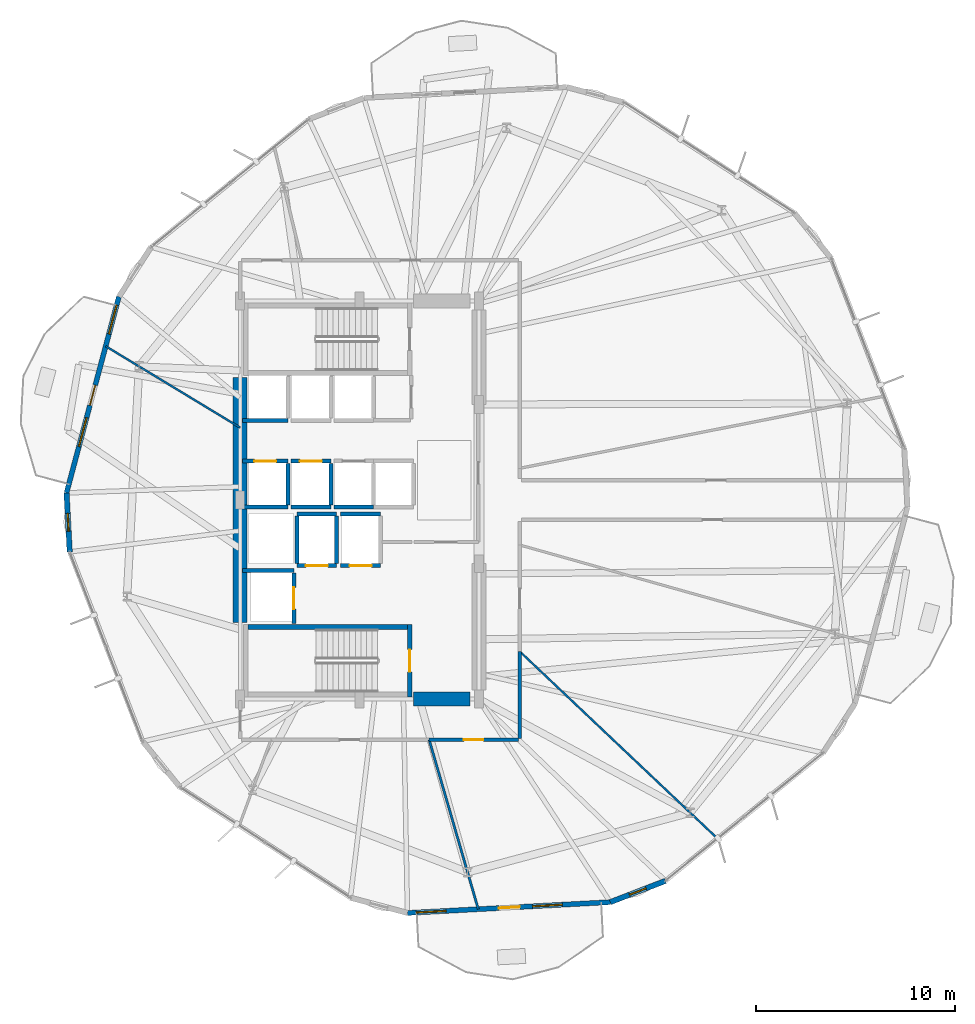
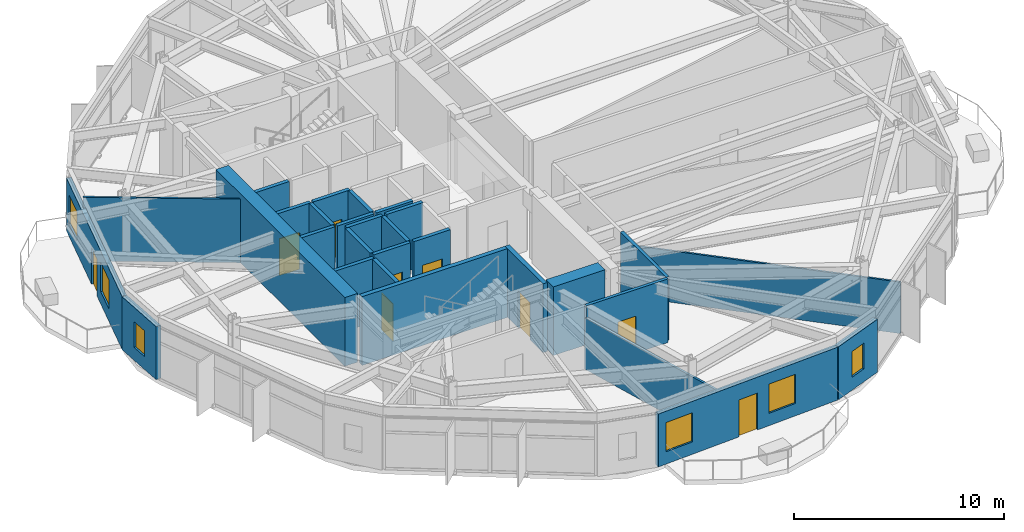
# One storey, part 18 of 23: 29 walls, 9 doors, 6 windows, 15 openings.
"""IFC4 building model written with IfcOpenShell, lengths in metres."""

from ifc_helpers import new_model, si_unit, direction, frame, frame_2d, origin, place, context, subcontext, project, spatial, rectangle, extrude, material, layer, layer_set, type_object, element, fill, save


model = new_model("IFC4")

# Units and contexts
model_context = context("Model", 3, precision=1e-05, world=origin(), true_north=direction((0.0, 1.0)))
body_context = subcontext(model_context, "Body", "Model", "MODEL_VIEW")
ifc_project = project(units=[si_unit("LENGTHUNIT", "METRE"), si_unit("AREAUNIT", "SQUARE_METRE"), si_unit("VOLUMEUNIT", "CUBIC_METRE"), si_unit("PLANEANGLEUNIT", "RADIAN"), si_unit("MASSUNIT", "GRAM", prefix="KILO")], contexts=[model_context])

# Site, building, storey
site_placement = place(None, origin())
site = spatial("IfcSite", under=ifc_project, at=site_placement, CompositionType="ELEMENT")
building_placement = place(site_placement, origin())
building = spatial("IfcBuilding", under=site, at=building_placement, Name="Soratama Intermodal Tower", CompositionType="ELEMENT")
storey_placement = place(building_placement, frame((0.0, 0.0, 38.60009765625)))
storey = spatial("IfcBuildingStorey", under=building, at=storey_placement, Name="L08", CompositionType="ELEMENT", Elevation=38.60009765625)

# Wall, openings, door, windows
ifc_material_1 = material(Name="Concrete f'c 42 MPa", Category="concrete")
ifc_layer_1 = layer(ifc_material_1, 0.25)
ifc_layer_set_1 = layer_set([ifc_layer_1], Name="Concrete f'c 42 MPa")
wall_type_1 = type_object("IfcWallType", Name="EW-BAL-250", PredefinedType="SOLIDWALL", material=ifc_layer_set_1)
wall_1_placement = place(storey_placement, frame((26.510009765625, 35.212646484375, 0.0), z_axis=(0.0, 0.0, 1.0), x_axis=(-0.257827991611, -0.966190833501, 0.0)))
wall_1 = element("IfcWall", 1, at=wall_1_placement, inside=storey, type_object=wall_type_1, Name="L08 Terrace Wall F05", PredefinedType="SOLIDWALL", context=body_context, shape_type="SweptSolid", body=[
    extrude(rectangle(XDim=10.201171875, YDim=0.25, at=frame_2d((5.1005859375, 0.0))), origin(), (0.0, 0.0, 1.0), 3.078857421875),
])
opening_1_placement = place(wall_1_placement, frame((4.6005859375, 0.0, 0.0)))
opening_1 = element("IfcOpeningElement", 2, at=opening_1_placement, cuts=wall_1, Name="Opening ED-5", PredefinedType="OPENING", context=body_context, shape_type="SweptSolid", body=[
    extrude(rectangle(XDim=1.050048828125, YDim=2.14990234375, at=frame_2d((0.52490234375, 1.074951171875))), frame((0.0, 0.135009765625, 0.0), z_axis=(0.0, -1.0, 0.0), x_axis=(1.0, 0.0, 0.0)), (0.0, 0.0, 1.0), 0.27001953125),
])
opening_2_placement = place(wall_1_placement, frame((0.43994140625, 0.0, 0.719970703125)))
opening_2 = element("IfcOpeningElement", 3, at=opening_2_placement, cuts=wall_1, Name="Opening WN-1", PredefinedType="OPENING", context=body_context, shape_type="SweptSolid", body=[
    extrude(rectangle(XDim=1.5, YDim=1.699951171875, at=frame_2d((0.75, 0.85009765625))), frame((0.0, 0.135009765625, 0.0), z_axis=(0.0, -1.0, 0.0), x_axis=(1.0, 0.0, 0.0)), (0.0, 0.0, 1.0), 0.27001953125),
])
opening_3_placement = place(wall_1_placement, frame((6.29052734375, 0.0, 0.719970703125)))
opening_3 = element("IfcOpeningElement", 4, at=opening_3_placement, cuts=wall_1, Name="Opening WN-1", PredefinedType="OPENING", context=body_context, shape_type="SweptSolid", body=[
    extrude(rectangle(XDim=1.5, YDim=1.699951171875, at=frame_2d((0.75, 0.85009765625))), frame((0.0, 0.135009765625, 0.0), z_axis=(0.0, -1.0, 0.0), x_axis=(1.0, 0.0, 0.0)), (0.0, 0.0, 1.0), 0.27001953125),
])
ifc_material_2 = material(Name="Double-glazed aluminium door", Category="aluminium")
door_type_1 = type_object("IfcDoorType", Name="DR-BAL-1050", OperationType="NOTDEFINED", PredefinedType="DOOR", material=ifc_material_2)
door_1_placement = place(opening_1_placement, origin())
door_1 = element("IfcDoor", 5, at=door_1_placement, inside=storey, type_object=door_type_1, Name="L08 Balcony Door F05", OperationType="SINGLE_SWING_LEFT", OverallHeight=2.14990234375, OverallWidth=1.050048828125, PredefinedType="DOOR", context=body_context, shape_type="SweptSolid", body=[
    extrude(rectangle(XDim=1.050048828125, YDim=2.14990234375, at=frame_2d((0.52490234375, 1.074951171875))), frame((0.0, 0.02490234375, 0.0), z_axis=(0.0, -1.0, 0.0), x_axis=(1.0, 0.0, 0.0)), (0.0, 0.0, 1.0), 0.050048828125),
])
fill(opening_1, door_1)
ifc_material_3 = material(Name="Double-glazed aluminium window", Category="aluminium")
window_type_1 = type_object("IfcWindowType", Name="WN-FAC-1500", PartitioningType="SINGLE_PANEL", PredefinedType="WINDOW", material=ifc_material_3)
window_1_placement = place(opening_2_placement, origin())
window_1 = element("IfcWindow", 6, at=window_1_placement, inside=storey, type_object=window_type_1, Name="L08 Window A F05", OverallHeight=1.699951171875, OverallWidth=1.5, PartitioningType="SINGLE_PANEL", PredefinedType="WINDOW", context=body_context, shape_type="SweptSolid", body=[
    extrude(rectangle(XDim=1.5, YDim=1.699951171875, at=frame_2d((0.75, 0.85009765625))), frame((0.0, 0.030029296875, 0.0), z_axis=(0.0, -1.0, 0.0), x_axis=(1.0, 0.0, 0.0)), (0.0, 0.0, 1.0), 0.06005859375),
])
fill(opening_2, window_1)
window_2_placement = place(opening_3_placement, origin())
window_2 = element("IfcWindow", 7, at=window_2_placement, inside=storey, type_object=window_type_1, Name="L08 Window B F05", OverallHeight=1.699951171875, OverallWidth=1.5, PartitioningType="SINGLE_PANEL", PredefinedType="WINDOW", context=body_context, shape_type="SweptSolid", body=[
    extrude(rectangle(XDim=1.5, YDim=1.699951171875, at=frame_2d((0.75, 0.85009765625))), frame((0.0, 0.030029296875, 0.0), z_axis=(0.0, -1.0, 0.0), x_axis=(1.0, 0.0, 0.0)), (0.0, 0.0, 1.0), 0.06005859375),
])
fill(opening_3, window_2)

wall_2_placement = place(storey_placement, frame((41.0009765625, 4.2587890625, 0.0), z_axis=(0.0, 0.0, 1.0), x_axis=(0.998573514947, 0.053394149934, 0.0)))
wall_2 = element("IfcWall", 8, at=wall_2_placement, inside=storey, type_object=wall_type_1, Name="L08 Terrace Wall F08", PredefinedType="SOLIDWALL", context=body_context, shape_type="SweptSolid", body=[
    extrude(rectangle(XDim=10.201171875, YDim=0.25, at=frame_2d((5.1005859375, 0.0))), origin(), (0.0, 0.0, 1.0), 3.078857421875),
])
opening_4_placement = place(wall_2_placement, frame((4.6005859375, 0.0, 0.0)))
opening_4 = element("IfcOpeningElement", 9, at=opening_4_placement, cuts=wall_2, Name="Opening ED-5", PredefinedType="OPENING", context=body_context, shape_type="SweptSolid", body=[
    extrude(rectangle(XDim=1.050048828125, YDim=2.14990234375, at=frame_2d((0.52490234375, 1.074951171875))), frame((0.0, 0.135009765625, 0.0), z_axis=(0.0, -1.0, 0.0), x_axis=(1.0, 0.0, 0.0)), (0.0, 0.0, 1.0), 0.27001953125),
])
opening_5_placement = place(wall_2_placement, frame((0.43994140625, 0.0, 0.719970703125)))
opening_5 = element("IfcOpeningElement", 10, at=opening_5_placement, cuts=wall_2, Name="Opening WN-1", PredefinedType="OPENING", context=body_context, shape_type="SweptSolid", body=[
    extrude(rectangle(XDim=1.5, YDim=1.699951171875, at=frame_2d((0.75, 0.85009765625))), frame((0.0, 0.135009765625, 0.0), z_axis=(0.0, -1.0, 0.0), x_axis=(1.0, 0.0, 0.0)), (0.0, 0.0, 1.0), 0.27001953125),
])
opening_6_placement = place(wall_2_placement, frame((6.29052734375, 0.0, 0.719970703125)))
opening_6 = element("IfcOpeningElement", 11, at=opening_6_placement, cuts=wall_2, Name="Opening WN-1", PredefinedType="OPENING", context=body_context, shape_type="SweptSolid", body=[
    extrude(rectangle(XDim=1.5, YDim=1.699951171875, at=frame_2d((0.75, 0.85009765625))), frame((0.0, 0.135009765625, 0.0), z_axis=(0.0, -1.0, 0.0), x_axis=(1.0, 0.0, 0.0)), (0.0, 0.0, 1.0), 0.27001953125),
])
door_2_placement = place(opening_4_placement, origin())
door_2 = element("IfcDoor", 12, at=door_2_placement, inside=storey, type_object=door_type_1, Name="L08 Balcony Door F08", OperationType="SINGLE_SWING_RIGHT", OverallHeight=2.14990234375, OverallWidth=1.050048828125, PredefinedType="DOOR", context=body_context, shape_type="SweptSolid", body=[
    extrude(rectangle(XDim=1.050048828125, YDim=2.14990234375, at=frame_2d((0.52490234375, 1.074951171875))), frame((0.0, 0.02490234375, 0.0), z_axis=(0.0, -1.0, 0.0), x_axis=(1.0, 0.0, 0.0)), (0.0, 0.0, 1.0), 0.050048828125),
])
fill(opening_4, door_2)
window_3_placement = place(opening_5_placement, origin())
window_3 = element("IfcWindow", 13, at=window_3_placement, inside=storey, type_object=window_type_1, Name="L08 Window A F08", OverallHeight=1.699951171875, OverallWidth=1.5, PartitioningType="SINGLE_PANEL", PredefinedType="WINDOW", context=body_context, shape_type="SweptSolid", body=[
    extrude(rectangle(XDim=1.5, YDim=1.699951171875, at=frame_2d((0.75, 0.85009765625))), frame((0.0, 0.030029296875, 0.0), z_axis=(0.0, -1.0, 0.0), x_axis=(1.0, 0.0, 0.0)), (0.0, 0.0, 1.0), 0.06005859375),
])
fill(opening_5, window_3)
window_4_placement = place(opening_6_placement, origin())
window_4 = element("IfcWindow", 14, at=window_4_placement, inside=storey, type_object=window_type_1, Name="L08 Window B F08", OverallHeight=1.699951171875, OverallWidth=1.5, PartitioningType="SINGLE_PANEL", PredefinedType="WINDOW", context=body_context, shape_type="SweptSolid", body=[
    extrude(rectangle(XDim=1.5, YDim=1.699951171875, at=frame_2d((0.75, 0.85009765625))), frame((0.0, 0.030029296875, 0.0), z_axis=(0.0, -1.0, 0.0), x_axis=(1.0, 0.0, 0.0)), (0.0, 0.0, 1.0), 0.06005859375),
])
fill(opening_6, window_4)

# Wall, opening, window
ifc_material_4 = material(Name="Concrete f'c 42 MPa", Category="concrete")
ifc_layer_2 = layer(ifc_material_4, 0.27001953125)
ifc_layer_set_2 = layer_set([ifc_layer_2], Name="Concrete f'c 42 MPa")
wall_type_2 = type_object("IfcWallType", Name="EW-CRN-270", PredefinedType="SOLIDWALL", material=ifc_layer_set_2)
wall_3_placement = place(storey_placement, frame((23.8798828125, 25.3564453125, 0.0), z_axis=(0.0, 0.0, 1.0), x_axis=(0.053409730545, -0.998572681723, 0.0)))
wall_3 = element("IfcWall", 15, at=wall_3_placement, inside=storey, type_object=wall_type_2, Name="L08 Corner Closure Wall 05", PredefinedType="SOLIDWALL", context=body_context, shape_type="SweptSolid", body=[
    extrude(rectangle(XDim=2.966552734375, YDim=0.27001953125, at=frame_2d((1.4833984375, 0.0))), origin(), (0.0, 0.0, 1.0), 3.078857421875),
])
opening_7_placement = place(wall_3_placement, frame((1.033203125, 0.0, 0.75)))
opening_7 = element("IfcOpeningElement", 16, at=opening_7_placement, cuts=wall_3, Name="Opening WN-6", PredefinedType="OPENING", context=body_context, shape_type="SweptSolid", body=[
    extrude(rectangle(XDim=0.89990234375, YDim=1.5, at=frame_2d((0.449951171875, 0.75))), frame((0.0, 0.14501953125, 0.0), z_axis=(0.0, -1.0, 0.0), x_axis=(1.0, 0.0, 0.0)), (0.0, 0.0, 1.0), 0.2900390625),
])
ifc_material_5 = material(Name="Double-glazed aluminium window", Category="aluminium")
window_type_2 = type_object("IfcWindowType", Name="WN-FAC-900", PartitioningType="SINGLE_PANEL", PredefinedType="WINDOW", material=ifc_material_5)
window_5_placement = place(opening_7_placement, origin())
window_5 = element("IfcWindow", 17, at=window_5_placement, inside=storey, type_object=window_type_2, Name="L08 Corner Window 05", OverallHeight=1.5, OverallWidth=0.89990234375, PartitioningType="SINGLE_PANEL", PredefinedType="WINDOW", context=body_context, shape_type="SweptSolid", body=[
    extrude(rectangle(XDim=0.89990234375, YDim=1.5, at=frame_2d((0.449951171875, 0.75))), frame((0.0, 0.030029296875, 0.0), z_axis=(0.0, -1.0, 0.0), x_axis=(1.0, 0.0, 0.0)), (0.0, 0.0, 1.0), 0.06005859375),
])
fill(opening_7, window_5)

wall_4_placement = place(storey_placement, frame((51.1875, 4.803466796875, 0.0), z_axis=(0.0, 0.0, 1.0), x_axis=(0.933222533465, 0.35929890486, 0.0)))
wall_4 = element("IfcWall", 18, at=wall_4_placement, inside=storey, type_object=wall_type_2, Name="L08 Corner Closure Wall 08", PredefinedType="SOLIDWALL", context=body_context, shape_type="SweptSolid", body=[
    extrude(rectangle(XDim=2.966552734375, YDim=0.27001953125, at=frame_2d((1.4833984375, 0.0))), origin(), (0.0, 0.0, 1.0), 3.078857421875),
])
opening_8_placement = place(wall_4_placement, frame((1.033203125, 0.0, 0.75)))
opening_8 = element("IfcOpeningElement", 19, at=opening_8_placement, cuts=wall_4, Name="Opening WN-6", PredefinedType="OPENING", context=body_context, shape_type="SweptSolid", body=[
    extrude(rectangle(XDim=0.89990234375, YDim=1.5, at=frame_2d((0.449951171875, 0.75))), frame((0.0, 0.14501953125, 0.0), z_axis=(0.0, -1.0, 0.0), x_axis=(1.0, 0.0, 0.0)), (0.0, 0.0, 1.0), 0.2900390625),
])
window_6_placement = place(opening_8_placement, origin())
window_6 = element("IfcWindow", 20, at=window_6_placement, inside=storey, type_object=window_type_2, Name="L08 Corner Window 08", OverallHeight=1.5, OverallWidth=0.89990234375, PartitioningType="SINGLE_PANEL", PredefinedType="WINDOW", context=body_context, shape_type="SweptSolid", body=[
    extrude(rectangle(XDim=0.89990234375, YDim=1.5, at=frame_2d((0.449951171875, 0.75))), frame((0.0, 0.030029296875, 0.0), z_axis=(0.0, -1.0, 0.0), x_axis=(1.0, 0.0, 0.0)), (0.0, 0.0, 1.0), 0.06005859375),
])
fill(opening_8, window_6)

# Wall, opening, door
ifc_material_6 = material(Name="Fire-rated gypsum stud partition", Category="concrete")
ifc_layer_3 = layer(ifc_material_6, 0.169921875)
ifc_layer_set_3 = layer_set([ifc_layer_3], Name="Fire-rated gypsum stud partition")
wall_type_3 = type_object("IfcWallType", Name="IW-PART-R170", PredefinedType="PARTITIONING", material=ifc_layer_set_3)
wall_5_placement = place(storey_placement, frame((46.580078125, 12.949951171875, 0.0), z_axis=(0.0, 0.0, 1.0), x_axis=(-1.0, 0.0, 0.0)))
wall_5 = element("IfcWall", 21, at=wall_5_placement, inside=storey, type_object=wall_type_3, Name="L08 Partition W-L08-TP015", PredefinedType="PARTITIONING", context=body_context, shape_type="SweptSolid", body=[
    extrude(rectangle(XDim=4.486083984375, YDim=0.169921875, at=frame_2d((2.2431640625, 0.0))), origin(), (0.0, 0.0, 1.0), 3.699951171875),
])
opening_9_placement = place(wall_5_placement, frame((1.76806640625, 0.0, 0.0)))
opening_9 = element("IfcOpeningElement", 22, at=opening_9_placement, cuts=wall_5, Name="Opening ID-5", PredefinedType="OPENING", context=body_context, shape_type="SweptSolid", body=[
    extrude(rectangle(XDim=0.97998046875, YDim=2.14990234375, at=frame_2d((0.489990234375, 1.074951171875))), frame((0.0, 0.094970703125, 0.0), z_axis=(0.0, -1.0, 0.0), x_axis=(1.0, 0.0, 0.0)), (0.0, 0.0, 1.0), 0.18994140625),
])
ifc_material_7 = material(Name="Solid hardwood acoustic door", Category="wood")
door_type_2 = type_object("IfcDoorType", Name="DR-OFF-980", OperationType="NOTDEFINED", PredefinedType="DOOR", material=ifc_material_7)
door_3_placement = place(opening_9_placement, origin())
door_3 = element("IfcDoor", 23, at=door_3_placement, inside=storey, type_object=door_type_2, Name="L08 Door D-L08-TP007", OperationType="SINGLE_SWING_RIGHT", OverallHeight=2.14990234375, OverallWidth=0.97998046875, PredefinedType="DOOR", context=body_context, shape_type="SweptSolid", body=[
    extrude(rectangle(XDim=0.97998046875, YDim=2.14990234375, at=frame_2d((0.489990234375, 1.074951171875))), frame((0.0, 0.02490234375, 0.0), z_axis=(0.0, -1.0, 0.0), x_axis=(1.0, 0.0, 0.0)), (0.0, 0.0, 1.0), 0.050048828125),
])
fill(opening_9, door_3)

# Walls
wall_6_placement = place(storey_placement, frame((46.64990234375, 17.385009765625, 0.0), z_axis=(0.0, 0.0, 1.0), x_axis=(0.0, -1.0, 0.0)))
element("IfcWall", 24, at=wall_6_placement, inside=storey, type_object=wall_type_3, Name="L08 Partition W-L08-TP016", PredefinedType="PARTITIONING", context=body_context, shape_type="SweptSolid", body=[
    extrude(rectangle(XDim=4.364990234375, YDim=0.169921875, at=frame_2d((2.1826171875, 0.0))), origin(), (0.0, 0.0, 1.0), 3.699951171875),
])
ifc_material_8 = material(Name="Fire-rated gypsum stud partition", Category="concrete")
ifc_layer_4 = layer(ifc_material_8, 0.10009765625)
ifc_layer_set_4 = layer_set([ifc_layer_4], Name="Fire-rated gypsum stud partition")
wall_type_4 = type_object("IfcWallType", Name="IW-PART-S100", PredefinedType="PARTITIONING", material=ifc_layer_set_4)
wall_7_placement = place(storey_placement, frame((46.64990234375, 17.385009765625, 0.0), z_axis=(0.0, 0.0, 1.0), x_axis=(0.726419713392, -0.687251336845, 0.0)))
element("IfcWall", 25, at=wall_7_placement, inside=storey, type_object=wall_type_4, Name="L08 Partition W-L08-TP005", PredefinedType="PARTITIONING", context=body_context, shape_type="SweptSolid", body=[
    extrude(rectangle(XDim=13.6630859375, YDim=0.10009765625, at=frame_2d((6.83154296875, 0.0))), origin(), (0.0, 0.0, 1.0), 2.994873046875),
])
wall_8_placement = place(storey_placement, frame((32.60009765625, 28.634033203125, 0.0), z_axis=(0.0, 0.0, 1.0), x_axis=(-0.855385077894, 0.517992633651, 0.0)))
element("IfcWall", 26, at=wall_8_placement, inside=storey, type_object=wall_type_4, Name="L08 Partition W-L08-TP010", PredefinedType="PARTITIONING", context=body_context, shape_type="SweptSolid", body=[
    extrude(rectangle(XDim=7.89599609375, YDim=0.10009765625, at=frame_2d((3.947998046875, 0.0))), origin(), (0.0, 0.0, 1.0), 3.699951171875),
])
ifc_material_9 = material(Name="Fire-rated gypsum stud partition", Category="concrete")
ifc_layer_5 = layer(ifc_material_9, 0.1201171875)
ifc_layer_set_5 = layer_set([ifc_layer_5], Name="Fire-rated gypsum stud partition")
wall_type_5 = type_object("IfcWallType", Name="IW-PART-S120", PredefinedType="PARTITIONING", material=ifc_layer_set_5)
wall_9_placement = place(storey_placement, frame((42.093994140625, 12.949951171875, 0.0), z_axis=(0.0, 0.0, 1.0), x_axis=(0.27850409571, -0.96043504136, 0.0)))
element("IfcWall", 27, at=wall_9_placement, inside=storey, type_object=wall_type_5, Name="L08 Partition W-L08-TP008", PredefinedType="PARTITIONING", context=body_context, shape_type="SweptSolid", body=[
    extrude(rectangle(XDim=8.85107421875, YDim=0.1201171875, at=frame_2d((4.425537109375, 0.0))), origin(), (0.0, 0.0, 1.0), 2.994873046875),
])

# Wall, opening, door
ifc_material_10 = material(Name="Concrete f'c 42 MPa", Category="concrete")
ifc_layer_6 = layer(ifc_material_10, 0.199951171875)
ifc_layer_set_6 = layer_set([ifc_layer_6], Name="Concrete f'c 42 MPa")
wall_type_6 = type_object("IfcWallType", Name="IW-SHAFT-200", PredefinedType="SOLIDWALL", material=ifc_layer_set_6)
wall_10_placement = place(storey_placement, frame((35.449951171875, 21.699951171875, 0.0), z_axis=(0.0, 0.0, 1.0), x_axis=(1.0, 0.0, 0.0)))
wall_10 = element("IfcWall", 28, at=wall_10_placement, inside=storey, type_object=wall_type_6, Name="L08 FFL-1 Hoistway Wall S", PredefinedType="SOLIDWALL", context=body_context, shape_type="SweptSolid", body=[
    extrude(rectangle(XDim=2.0, YDim=0.199951171875, at=frame_2d((1.0, 0.0))), origin(), (0.0, 0.0, 1.0), 3.699951171875),
])
opening_10_placement = place(wall_10_placement, frame((0.449951171875, 0.0, 0.0)))
opening_10 = element("IfcOpeningElement", 29, at=opening_10_placement, cuts=wall_10, Name="Opening LD-1", PredefinedType="OPENING", context=body_context, shape_type="SweptSolid", body=[
    extrude(rectangle(XDim=1.10009765625, YDim=2.14990234375, at=frame_2d((0.550048828125, 1.074951171875))), frame((0.0, 0.10986328125, 0.0), z_axis=(0.0, -1.0, 0.0), x_axis=(1.0, 0.0, 0.0)), (0.0, 0.0, 1.0), 0.219970703125),
])
ifc_material_11 = material(Name="Steel fire door", Category="steel")
door_type_3 = type_object("IfcDoorType", Name="DR-LIFT-SLIDE", OperationType="NOTDEFINED", PredefinedType="DOOR", material=ifc_material_11)
door_4_placement = place(opening_10_placement, origin())
door_4 = element("IfcDoor", 30, at=door_4_placement, inside=storey, type_object=door_type_3, Name="L08 FFL-1 Sliding Landing Door", OperationType="SLIDING_TO_LEFT", OverallHeight=2.14990234375, OverallWidth=1.10009765625, PredefinedType="DOOR", context=body_context, shape_type="SweptSolid", body=[
    extrude(rectangle(XDim=1.10009765625, YDim=2.14990234375, at=frame_2d((0.550048828125, 1.074951171875))), frame((0.0, 0.02490234375, 0.0), z_axis=(0.0, -1.0, 0.0), x_axis=(1.0, 0.0, 0.0)), (0.0, 0.0, 1.0), 0.050048828125),
])
fill(opening_10, door_4)

# Walls
wall_11_placement = place(storey_placement, frame((35.449951171875, 24.300048828125, 0.0), z_axis=(0.0, 0.0, 1.0), x_axis=(1.0, 0.0, 0.0)))
element("IfcWall", 31, at=wall_11_placement, inside=storey, type_object=wall_type_6, Name="L08 FFL-1 Hoistway Wall N", PredefinedType="SOLIDWALL", context=body_context, shape_type="SweptSolid", body=[
    extrude(rectangle(XDim=2.0, YDim=0.199951171875, at=frame_2d((1.0, 0.0))), origin(), (0.0, 0.0, 1.0), 3.699951171875),
])
for number, where, z_axis, x_axis, name in (
    (32, (35.449951171875, 21.81005859375, 0.0), (0.0, 0.0, 1.0), (0.0, 1.0, 0.0), "L08 FFL-1 Hoistway Wall W"),
    (33, (37.449951171875, 21.81005859375, 0.0), (0.0, 0.0, 1.0), (0.0, 1.0, 0.0), "L08 FFL-1 Hoistway Wall E"),
):
    element("IfcWall", number, at=place(storey_placement, frame(where, z_axis=z_axis, x_axis=x_axis)), inside=storey, type_object=wall_type_6, Name=name, PredefinedType="SOLIDWALL", context=body_context, shape_type="SweptSolid", body=[
        extrude(rectangle(XDim=2.3798828125, YDim=0.199951171875, at=frame_2d((1.18994140625, 0.0))), origin(), (0.0, 0.0, 1.0), 3.699951171875),
    ])

# Wall, opening, door
wall_12_placement = place(storey_placement, frame((37.64990234375, 21.699951171875, 0.0), z_axis=(0.0, 0.0, 1.0), x_axis=(1.0, 0.0, 0.0)))
wall_12 = element("IfcWall", 34, at=wall_12_placement, inside=storey, type_object=wall_type_6, Name="L08 FFL-2 Hoistway Wall S", PredefinedType="SOLIDWALL", context=body_context, shape_type="SweptSolid", body=[
    extrude(rectangle(XDim=2.0, YDim=0.199951171875, at=frame_2d((1.0, 0.0))), origin(), (0.0, 0.0, 1.0), 3.699951171875),
])
opening_11_placement = place(wall_12_placement, frame((0.449951171875, 0.0, 0.0)))
opening_11 = element("IfcOpeningElement", 35, at=opening_11_placement, cuts=wall_12, Name="Opening LD-1", PredefinedType="OPENING", context=body_context, shape_type="SweptSolid", body=[
    extrude(rectangle(XDim=1.10009765625, YDim=2.14990234375, at=frame_2d((0.550048828125, 1.074951171875))), frame((0.0, 0.10986328125, 0.0), z_axis=(0.0, -1.0, 0.0), x_axis=(1.0, 0.0, 0.0)), (0.0, 0.0, 1.0), 0.219970703125),
])
door_5_placement = place(opening_11_placement, origin())
door_5 = element("IfcDoor", 36, at=door_5_placement, inside=storey, type_object=door_type_3, Name="L08 FFL-2 Sliding Landing Door", OperationType="SLIDING_TO_LEFT", OverallHeight=2.14990234375, OverallWidth=1.10009765625, PredefinedType="DOOR", context=body_context, shape_type="SweptSolid", body=[
    extrude(rectangle(XDim=1.10009765625, YDim=2.14990234375, at=frame_2d((0.550048828125, 1.074951171875))), frame((0.0, 0.02490234375, 0.0), z_axis=(0.0, -1.0, 0.0), x_axis=(1.0, 0.0, 0.0)), (0.0, 0.0, 1.0), 0.050048828125),
])
fill(opening_11, door_5)

# Walls
wall_13_placement = place(storey_placement, frame((37.64990234375, 24.300048828125, 0.0), z_axis=(0.0, 0.0, 1.0), x_axis=(1.0, 0.0, 0.0)))
element("IfcWall", 37, at=wall_13_placement, inside=storey, type_object=wall_type_6, Name="L08 FFL-2 Hoistway Wall N", PredefinedType="SOLIDWALL", context=body_context, shape_type="SweptSolid", body=[
    extrude(rectangle(XDim=2.0, YDim=0.199951171875, at=frame_2d((1.0, 0.0))), origin(), (0.0, 0.0, 1.0), 3.699951171875),
])
wall_14_placement = place(storey_placement, frame((32.719970703125, 21.449951171875, 0.0), z_axis=(0.0, 0.0, 1.0), x_axis=(1.0, 0.0, 0.0)))
element("IfcWall", 38, at=wall_14_placement, inside=storey, type_object=wall_type_6, Name="L08 SVL-1 Hoistway Wall N", PredefinedType="SOLIDWALL", context=body_context, shape_type="SweptSolid", body=[
    extrude(rectangle(XDim=2.580078125, YDim=0.199951171875, at=frame_2d((1.2900390625, 0.0))), origin(), (0.0, 0.0, 1.0), 3.699951171875),
])

# Wall, opening, door
wall_15_placement = place(storey_placement, frame((35.300048828125, 18.7900390625, 0.0), z_axis=(0.0, 0.0, 1.0), x_axis=(0.0, 1.0, 0.0)))
wall_15 = element("IfcWall", 39, at=wall_15_placement, inside=storey, type_object=wall_type_6, Name="L08 SVL-1 Hoistway Wall E", PredefinedType="SOLIDWALL", context=body_context, shape_type="SweptSolid", body=[
    extrude(rectangle(XDim=2.550048828125, YDim=0.199951171875, at=frame_2d((1.27490234375, 0.0))), origin(), (0.0, 0.0, 1.0), 3.699951171875),
])
opening_12_placement = place(wall_15_placement, frame((0.72509765625, 0.0, 0.0)))
opening_12 = element("IfcOpeningElement", 40, at=opening_12_placement, cuts=wall_15, Name="Opening LD-1", PredefinedType="OPENING", context=body_context, shape_type="SweptSolid", body=[
    extrude(rectangle(XDim=1.10009765625, YDim=2.14990234375, at=frame_2d((0.550048828125, 1.074951171875))), frame((0.0, 0.10986328125, 0.0), z_axis=(0.0, -1.0, 0.0), x_axis=(1.0, 0.0, 0.0)), (0.0, 0.0, 1.0), 0.219970703125),
])
door_6_placement = place(opening_12_placement, origin())
door_6 = element("IfcDoor", 41, at=door_6_placement, inside=storey, type_object=door_type_3, Name="L08 SVL-1 Sliding Landing Door", OperationType="SLIDING_TO_LEFT", OverallHeight=2.14990234375, OverallWidth=1.10009765625, PredefinedType="DOOR", context=body_context, shape_type="SweptSolid", body=[
    extrude(rectangle(XDim=1.10009765625, YDim=2.14990234375, at=frame_2d((0.550048828125, 1.074951171875))), frame((0.0, 0.02490234375, 0.0), z_axis=(0.0, -1.0, 0.0), x_axis=(1.0, 0.0, 0.0)), (0.0, 0.0, 1.0), 0.050048828125),
])
fill(opening_12, door_6)

# Wall
wall_16_placement = place(storey_placement, frame((32.719970703125, 24.64990234375, 0.0), z_axis=(0.0, 0.0, 1.0), x_axis=(1.0, 0.0, 0.0)))
element("IfcWall", 42, at=wall_16_placement, inside=storey, type_object=wall_type_6, Name="L08 PL-L1 Hoistway Wall S", PredefinedType="SOLIDWALL", context=body_context, shape_type="SweptSolid", body=[
    extrude(rectangle(XDim=2.280029296875, YDim=0.199951171875, at=frame_2d((1.14013671875, 0.0))), origin(), (0.0, 0.0, 1.0), 3.699951171875),
])

# Wall, opening, door
wall_17_placement = place(storey_placement, frame((32.719970703125, 26.949951171875, 0.0), z_axis=(0.0, 0.0, 1.0), x_axis=(1.0, 0.0, 0.0)))
wall_17 = element("IfcWall", 43, at=wall_17_placement, inside=storey, type_object=wall_type_6, Name="L08 PL-L1 Hoistway Wall N", PredefinedType="SOLIDWALL", context=body_context, shape_type="SweptSolid", body=[
    extrude(rectangle(XDim=2.280029296875, YDim=0.199951171875, at=frame_2d((1.14013671875, 0.0))), origin(), (0.0, 0.0, 1.0), 3.699951171875),
])
opening_13_placement = place(wall_17_placement, frame((0.590087890625, 0.0, 0.0)))
opening_13 = element("IfcOpeningElement", 44, at=opening_13_placement, cuts=wall_17, Name="Opening LD-1", PredefinedType="OPENING", context=body_context, shape_type="SweptSolid", body=[
    extrude(rectangle(XDim=1.10009765625, YDim=2.14990234375, at=frame_2d((0.550048828125, 1.074951171875))), frame((0.0, 0.10986328125, 0.0), z_axis=(0.0, -1.0, 0.0), x_axis=(1.0, 0.0, 0.0)), (0.0, 0.0, 1.0), 0.219970703125),
])
door_7_placement = place(opening_13_placement, origin())
door_7 = element("IfcDoor", 45, at=door_7_placement, inside=storey, type_object=door_type_3, Name="L08 PL-L1 Sliding Landing Door", OperationType="SLIDING_TO_LEFT", OverallHeight=2.14990234375, OverallWidth=1.10009765625, PredefinedType="DOOR", context=body_context, shape_type="SweptSolid", body=[
    extrude(rectangle(XDim=1.10009765625, YDim=2.14990234375, at=frame_2d((0.550048828125, 1.074951171875))), frame((0.0, 0.02490234375, 0.0), z_axis=(0.0, -1.0, 0.0), x_axis=(1.0, 0.0, 0.0)), (0.0, 0.0, 1.0), 0.050048828125),
])
fill(opening_13, door_7)

# Walls
wall_18_placement = place(storey_placement, frame((35.0, 24.760009765625, 0.0), z_axis=(0.0, 0.0, 1.0), x_axis=(0.0, 1.0, 0.0)))
element("IfcWall", 46, at=wall_18_placement, inside=storey, type_object=wall_type_6, Name="L08 PL-L1 Hoistway Wall E", PredefinedType="SOLIDWALL", context=body_context, shape_type="SweptSolid", body=[
    extrude(rectangle(XDim=2.080078125, YDim=0.199951171875, at=frame_2d((1.0400390625, 0.0))), origin(), (0.0, 0.0, 1.0), 3.699951171875),
])
wall_19_placement = place(storey_placement, frame((35.14990234375, 24.64990234375, 0.0), z_axis=(0.0, 0.0, 1.0), x_axis=(1.0, 0.0, 0.0)))
element("IfcWall", 47, at=wall_19_placement, inside=storey, type_object=wall_type_6, Name="L08 PL-L2 Hoistway Wall S", PredefinedType="SOLIDWALL", context=body_context, shape_type="SweptSolid", body=[
    extrude(rectangle(XDim=2.0, YDim=0.199951171875, at=frame_2d((1.0, 0.0))), origin(), (0.0, 0.0, 1.0), 3.699951171875),
])

# Wall, opening, door
wall_20_placement = place(storey_placement, frame((35.14990234375, 26.949951171875, 0.0), z_axis=(0.0, 0.0, 1.0), x_axis=(1.0, 0.0, 0.0)))
wall_20 = element("IfcWall", 48, at=wall_20_placement, inside=storey, type_object=wall_type_6, Name="L08 PL-L2 Hoistway Wall N", PredefinedType="SOLIDWALL", context=body_context, shape_type="SweptSolid", body=[
    extrude(rectangle(XDim=2.0, YDim=0.199951171875, at=frame_2d((1.0, 0.0))), origin(), (0.0, 0.0, 1.0), 3.699951171875),
])
opening_14_placement = place(wall_20_placement, frame((0.449951171875, 0.0, 0.0)))
opening_14 = element("IfcOpeningElement", 49, at=opening_14_placement, cuts=wall_20, Name="Opening LD-1", PredefinedType="OPENING", context=body_context, shape_type="SweptSolid", body=[
    extrude(rectangle(XDim=1.10009765625, YDim=2.14990234375, at=frame_2d((0.550048828125, 1.074951171875))), frame((0.0, 0.10986328125, 0.0), z_axis=(0.0, -1.0, 0.0), x_axis=(1.0, 0.0, 0.0)), (0.0, 0.0, 1.0), 0.219970703125),
])
door_8_placement = place(opening_14_placement, origin())
door_8 = element("IfcDoor", 50, at=door_8_placement, inside=storey, type_object=door_type_3, Name="L08 PL-L2 Sliding Landing Door", OperationType="SLIDING_TO_LEFT", OverallHeight=2.14990234375, OverallWidth=1.10009765625, PredefinedType="DOOR", context=body_context, shape_type="SweptSolid", body=[
    extrude(rectangle(XDim=1.10009765625, YDim=2.14990234375, at=frame_2d((0.550048828125, 1.074951171875))), frame((0.0, 0.02490234375, 0.0), z_axis=(0.0, -1.0, 0.0), x_axis=(1.0, 0.0, 0.0)), (0.0, 0.0, 1.0), 0.050048828125),
])
fill(opening_14, door_8)

# Walls
wall_21_placement = place(storey_placement, frame((37.14990234375, 24.760009765625, 0.0), z_axis=(0.0, 0.0, 1.0), x_axis=(0.0, 1.0, 0.0)))
element("IfcWall", 51, at=wall_21_placement, inside=storey, type_object=wall_type_6, Name="L08 PL-L2 Hoistway Wall E", PredefinedType="SOLIDWALL", context=body_context, shape_type="SweptSolid", body=[
    extrude(rectangle(XDim=2.080078125, YDim=0.199951171875, at=frame_2d((1.0400390625, 0.0))), origin(), (0.0, 0.0, 1.0), 3.699951171875),
])
wall_22_placement = place(storey_placement, frame((37.300048828125, 24.64990234375, 0.0), z_axis=(0.0, 0.0, 1.0), x_axis=(1.0, 0.0, 0.0)))
element("IfcWall", 52, at=wall_22_placement, inside=storey, type_object=wall_type_6, Name="L08 PL-L3 Hoistway Wall S", PredefinedType="SOLIDWALL", context=body_context, shape_type="SweptSolid", body=[
    extrude(rectangle(XDim=2.0, YDim=0.199951171875, at=frame_2d((1.0, 0.0))), origin(), (0.0, 0.0, 1.0), 3.699951171875),
])
wall_23_placement = place(storey_placement, frame((32.719970703125, 29.0, 0.0), z_axis=(0.0, 0.0, 1.0), x_axis=(1.0, 0.0, 0.0)))
element("IfcWall", 53, at=wall_23_placement, inside=storey, type_object=wall_type_6, Name="L08 PL-M2 Hoistway Wall S", PredefinedType="SOLIDWALL", context=body_context, shape_type="SweptSolid", body=[
    extrude(rectangle(XDim=2.280029296875, YDim=0.199951171875, at=frame_2d((1.14013671875, 0.0))), origin(), (0.0, 0.0, 1.0), 3.699951171875),
])
ifc_material_12 = material(Name="Concrete f'c 56 MPa", Category="concrete")
ifc_layer_7 = layer(ifc_material_12, 0.699951171875)
ifc_layer_set_7 = layer_set([ifc_layer_7], Name="Concrete f'c 56 MPa")
wall_type_7 = type_object("IfcWallType", Name="SW-CORE-700", PredefinedType="SHEAR", material=ifc_layer_set_7)
wall_24_placement = place(storey_placement, frame((32.60009765625, 18.85009765625, 0.0), z_axis=(0.0, 0.0, 1.0), x_axis=(0.0, 1.0, 0.0)))
element("IfcWall", 54, at=wall_24_placement, inside=storey, type_object=wall_type_7, Name="L08 Core Shear Wall CW-WMID", PredefinedType="SHEAR", context=body_context, shape_type="SweptSolid", body=[
    extrude(rectangle(XDim=12.2998046875, YDim=0.699951171875, at=frame_2d((6.14990234375, 0.0))), origin(), (0.0, 0.0, 1.0), 4.0),
])
wall_25_placement = place(storey_placement, frame((41.300048828125, 15.0, 0.0), z_axis=(0.0, 0.0, 1.0), x_axis=(1.0, 0.0, 0.0)))
element("IfcWall", 55, at=wall_25_placement, inside=storey, type_object=wall_type_7, Name="L08 Core Shear Wall CW-SE", PredefinedType="SHEAR", context=body_context, shape_type="SweptSolid", body=[
    extrude(rectangle(XDim=2.849853515625, YDim=0.699951171875, at=frame_2d((1.4248046875, 0.0))), origin(), (0.0, 0.0, 1.0), 4.0),
])

# Wall, opening, door
ifc_material_13 = material(Name="Concrete f'c 56 MPa", Category="concrete")
ifc_layer_8 = layer(ifc_material_13, 0.239990234375)
ifc_layer_set_8 = layer_set([ifc_layer_8], Name="Concrete f'c 56 MPa")
wall_type_8 = type_object("IfcWallType", Name="SW-STAIR-240", PredefinedType="SHEAR", material=ifc_layer_set_8)
wall_26_placement = place(storey_placement, frame((41.1201171875, 15.110107421875, 0.0), z_axis=(0.0, 0.0, 1.0), x_axis=(0.0, 1.0, 0.0)))
wall_26 = element("IfcWall", 56, at=wall_26_placement, inside=storey, type_object=wall_type_8, Name="L08 ST-1 Shaft Shear Wall E", PredefinedType="SHEAR", context=body_context, shape_type="SweptSolid", body=[
    extrude(rectangle(XDim=3.6298828125, YDim=0.239990234375, at=frame_2d((1.81494140625, 0.0))), origin(), (0.0, 0.0, 1.0), 4.0),
])
opening_15_placement = place(wall_26_placement, frame((1.2548828125, 0.0, 0.0)))
opening_15 = element("IfcOpeningElement", 57, at=opening_15_placement, cuts=wall_26, Name="Opening SD-1", PredefinedType="OPENING", context=body_context, shape_type="SweptSolid", body=[
    extrude(rectangle(XDim=1.1201171875, YDim=2.14990234375, at=frame_2d((0.56005859375, 1.074951171875))), frame((0.0, 0.1298828125, 0.0), z_axis=(0.0, -1.0, 0.0), x_axis=(1.0, 0.0, 0.0)), (0.0, 0.0, 1.0), 0.260009765625),
])
ifc_material_14 = material(Name="Steel fire door", Category="steel")
door_type_4 = type_object("IfcDoorType", Name="DR-STAIR-FD90", OperationType="NOTDEFINED", PredefinedType="DOOR", material=ifc_material_14)
door_9_placement = place(opening_15_placement, origin())
door_9 = element("IfcDoor", 58, at=door_9_placement, inside=storey, type_object=door_type_4, Name="L08 ST-1 Exit Stair Door", OperationType="SINGLE_SWING_LEFT", OverallHeight=2.14990234375, OverallWidth=1.1201171875, PredefinedType="DOOR", context=body_context, shape_type="SweptSolid", body=[
    extrude(rectangle(XDim=1.1201171875, YDim=2.14990234375, at=frame_2d((0.56005859375, 1.074951171875))), frame((0.0, 0.02490234375, 0.0), z_axis=(0.0, -1.0, 0.0), x_axis=(1.0, 0.0, 0.0)), (0.0, 0.0, 1.0), 0.050048828125),
])
fill(opening_15, door_9)

# Wall
wall_27_placement = place(storey_placement, frame((33.0, 18.6201171875, 0.0), z_axis=(0.0, 0.0, 1.0), x_axis=(1.0, 0.0, 0.0)))
element("IfcWall", 59, at=wall_27_placement, inside=storey, type_object=wall_type_8, Name="L08 ST-1 Shaft Shear Wall N", PredefinedType="SHEAR", context=body_context, shape_type="SweptSolid", body=[
    extrude(rectangle(XDim=8.0, YDim=0.239990234375, at=frame_2d((4.0, 0.0))), origin(), (0.0, 0.0, 1.0), 4.0),
])

save(model, "model.ifc")
